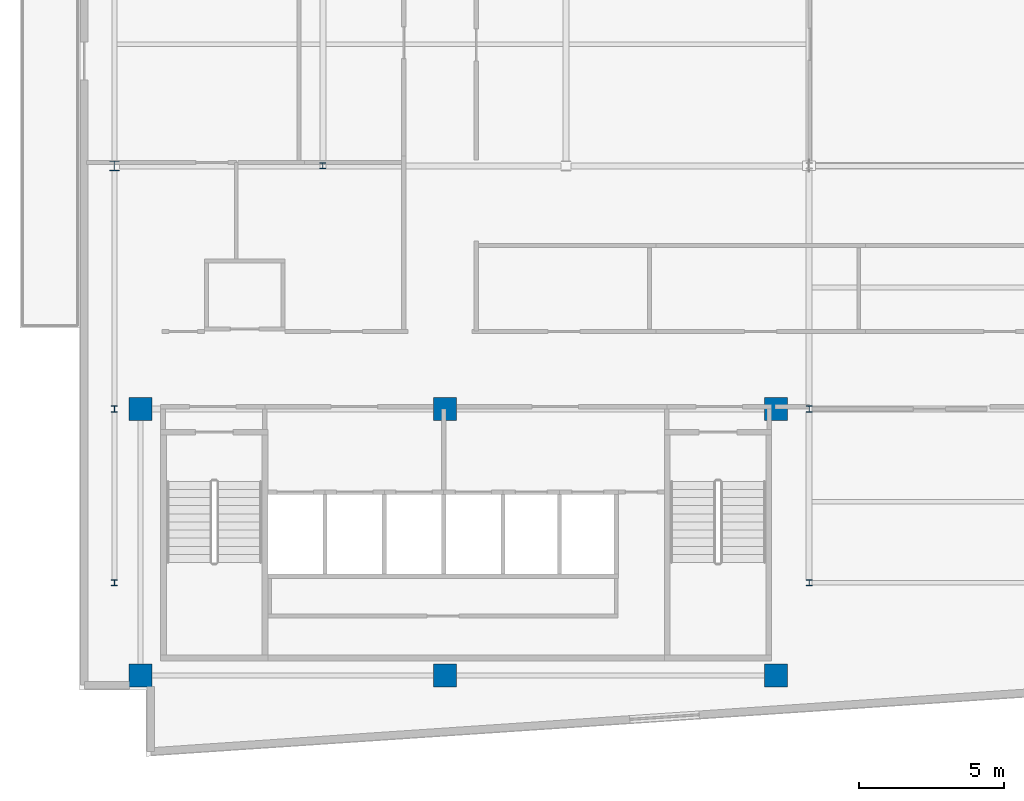
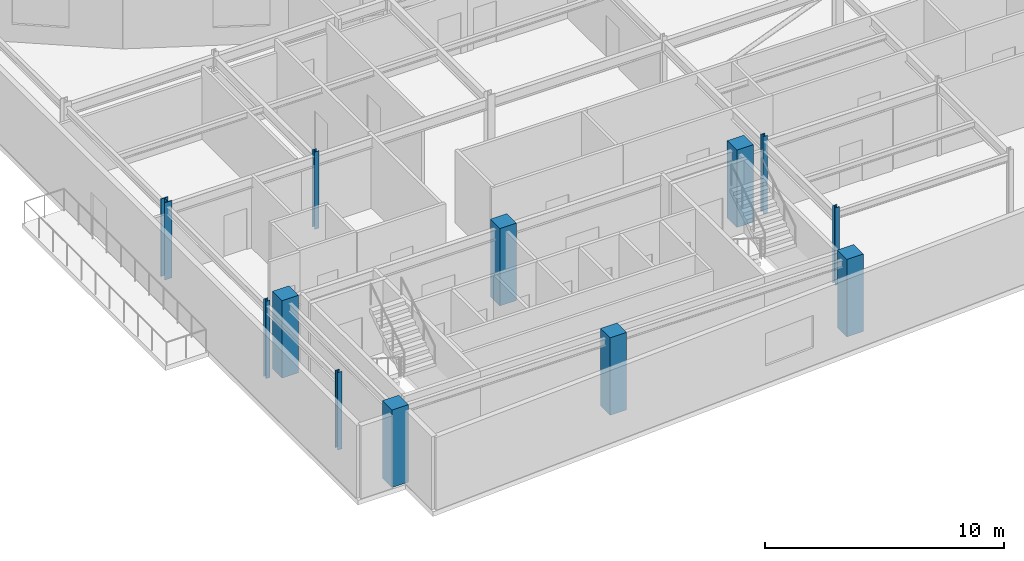
# One storey, part 1 of 16: 12 columns.
"""IFC4 building model written with IfcOpenShell, lengths in metres."""

from ifc_helpers import new_model, si_unit, direction, frame, origin, origin_2d, place, context, subcontext, project, spatial, rectangle, i_section, extrude, material, material_profile, profile_set, type_object, element, save


model = new_model("IFC4")

# Units and contexts
model_context = context("Model", 3, precision=1e-05, world=origin(), true_north=direction((0.0, 1.0)))
body_context = subcontext(model_context, "Body", "Model", "MODEL_VIEW")
ifc_project = project(units=[si_unit("LENGTHUNIT", "METRE"), si_unit("AREAUNIT", "SQUARE_METRE"), si_unit("VOLUMEUNIT", "CUBIC_METRE"), si_unit("PLANEANGLEUNIT", "RADIAN"), si_unit("MASSUNIT", "GRAM", prefix="KILO")], contexts=[model_context])

# Site, building, storey
site_placement = place(None, origin())
site = spatial("IfcSite", under=ifc_project, at=site_placement, CompositionType="ELEMENT")
building_placement = place(site_placement, origin())
building = spatial("IfcBuilding", under=site, at=building_placement, Name="Varnakote Quay Hospital", CompositionType="ELEMENT")
storey_placement = place(building_placement, frame((0.0, 0.0, 288.14990234375)))
storey = spatial("IfcBuildingStorey", under=building, at=storey_placement, Name="L71", CompositionType="ELEMENT", Elevation=288.14990234375)

# Columns
ifc_material_1 = material(Name="Concrete N50 (f'c 50 MPa)", Category="concrete")
ifc_material_profile_1 = material_profile(ifc_material_1, rectangle(XDim=0.800048828125, YDim=0.800048828125, at=origin_2d()), Name="RC-COL-800x800")
ifc_profile_set_1 = profile_set([ifc_material_profile_1], Name="Concrete N50 (f'c 50 MPa)")
column_type_1 = type_object("IfcColumnType", Name="COL-RC-800", PredefinedType="COLUMN", material=ifc_profile_set_1)
for number, where, z_axis, x_axis, name in (
    (1, (2.10009765625, 2.800048828125, 0.0), (0.0, 0.0, 1.0), (1.0, 0.0, 0.0), "L71 Structural Column C-2-3"),
    (2, (12.6201171875, 2.800048828125, 0.0), (0.0, 0.0, 1.0), (1.0, 0.0, 0.0), "L71 Structural Column C-13-3"),
    (3, (24.050048828125, 2.800048828125, 0.0), (0.0, 0.0, 1.0), (1.0, 0.0, 0.0), "L71 Structural Column C-24-3"),
    (4, (2.10009765625, 12.0, 0.0), (0.0, 0.0, 1.0), (1.0, 0.0, 0.0), "L71 Structural Column C-2-12"),
    (5, (12.6201171875, 12.0, 0.0), (0.0, 0.0, 1.0), (1.0, 0.0, 0.0), "L71 Structural Column C-13-12"),
    (6, (24.050048828125, 12.0, 0.0), (0.0, 0.0, 1.0), (1.0, 0.0, 0.0), "L71 Structural Column C-24-12"),
):
    element("IfcColumn", number, at=place(storey_placement, frame(where, z_axis=z_axis, x_axis=x_axis)), inside=storey, type_object=column_type_1, Name=name, PredefinedType="COLUMN", context=body_context, shape_type="SweptSolid", body=[
        extrude(rectangle(XDim=0.800048828125, YDim=0.800048828125, at=origin_2d()), origin(), (0.0, 0.0, 1.0), 3.9501953125),
    ])
ifc_material_2 = material(Name="Structural steel AS/NZS 3679.1 Grade 350 L0 (fy 340 MPa)", Category="steel")
ifc_material_profile_2 = material_profile(ifc_material_2, i_section(OverallWidth=0.205078125, OverallDepth=0.2099609375, WebThickness=0.00927734375, FlangeThickness=0.01416015625, FilletRadius=0.011474609375, at=origin_2d()), Name="200UC59.5")
ifc_profile_set_2 = profile_set([ifc_material_profile_2], Name="Structural steel AS/NZS 3679.1 Grade 350 L0 (fy 340 MPa)")
column_type_2 = type_object("IfcColumnType", Name="COL-STL-200UC59-5", PredefinedType="COLUMN", material=ifc_profile_set_2)
for number, where, z_axis, x_axis, name in (
    (7, (1.199951171875, 6.0, 0.0), (0.0, 0.0, 1.0), (1.0, 0.0, 0.0), "L71 Structural Column C-1-6"),
    (8, (25.199951171875, 6.0, 0.0), (0.0, 0.0, 1.0), (1.0, 0.0, 0.0), "L71 Structural Column C-25-6"),
    (9, (1.199951171875, 12.0, 0.0), (0.0, 0.0, 1.0), (1.0, 0.0, 0.0), "L71 Structural Column C-1-12"),
    (10, (25.199951171875, 12.0, 0.0), (0.0, 0.0, 1.0), (1.0, 0.0, 0.0), "L71 Structural Column C-25-12"),
    (11, (8.39990234375, 20.39990234375, 0.0), (0.0, 0.0, 1.0), (1.0, 0.0, 0.0), "L71 Structural Column C-8-20"),
):
    element("IfcColumn", number, at=place(storey_placement, frame(where, z_axis=z_axis, x_axis=x_axis)), inside=storey, type_object=column_type_2, Name=name, PredefinedType="COLUMN", context=body_context, shape_type="SweptSolid", body=[
        extrude(i_section(OverallWidth=0.205078125, OverallDepth=0.2099609375, WebThickness=0.00927734375, FlangeThickness=0.01416015625, FilletRadius=0.011474609375, at=origin_2d()), origin(), (0.0, 0.0, 1.0), 3.9501953125),
    ])
ifc_material_3 = material(Name="Structural steel AS/NZS 3678 Grade 350 (fy 340 MPa)", Category="steel")
ifc_material_profile_3 = material_profile(ifc_material_3, i_section(OverallWidth=0.35009765625, OverallDepth=0.340087890625, WebThickness=0.01611328125, FlangeThickness=0.028076171875, at=origin_2d()), Name="350WC197")
ifc_profile_set_3 = profile_set([ifc_material_profile_3], Name="Structural steel AS/NZS 3678 Grade 350 (fy 340 MPa)")
column_type_3 = type_object("IfcColumnType", Name="COL-STL-350WC197", PredefinedType="COLUMN", material=ifc_profile_set_3)
column_placement = place(storey_placement, frame((1.199951171875, 20.39990234375, 0.0), z_axis=(0.0, 0.0, 1.0), x_axis=(1.0, 0.0, 0.0)))
element("IfcColumn", 12, at=column_placement, inside=storey, type_object=column_type_3, Name="L71 Structural Column C-1-20", PredefinedType="COLUMN", context=body_context, shape_type="SweptSolid", body=[
    extrude(i_section(OverallWidth=0.35009765625, OverallDepth=0.340087890625, WebThickness=0.01611328125, FlangeThickness=0.028076171875, at=origin_2d()), origin(), (0.0, 0.0, 1.0), 3.9501953125),
])

save(model, "model.ifc")
